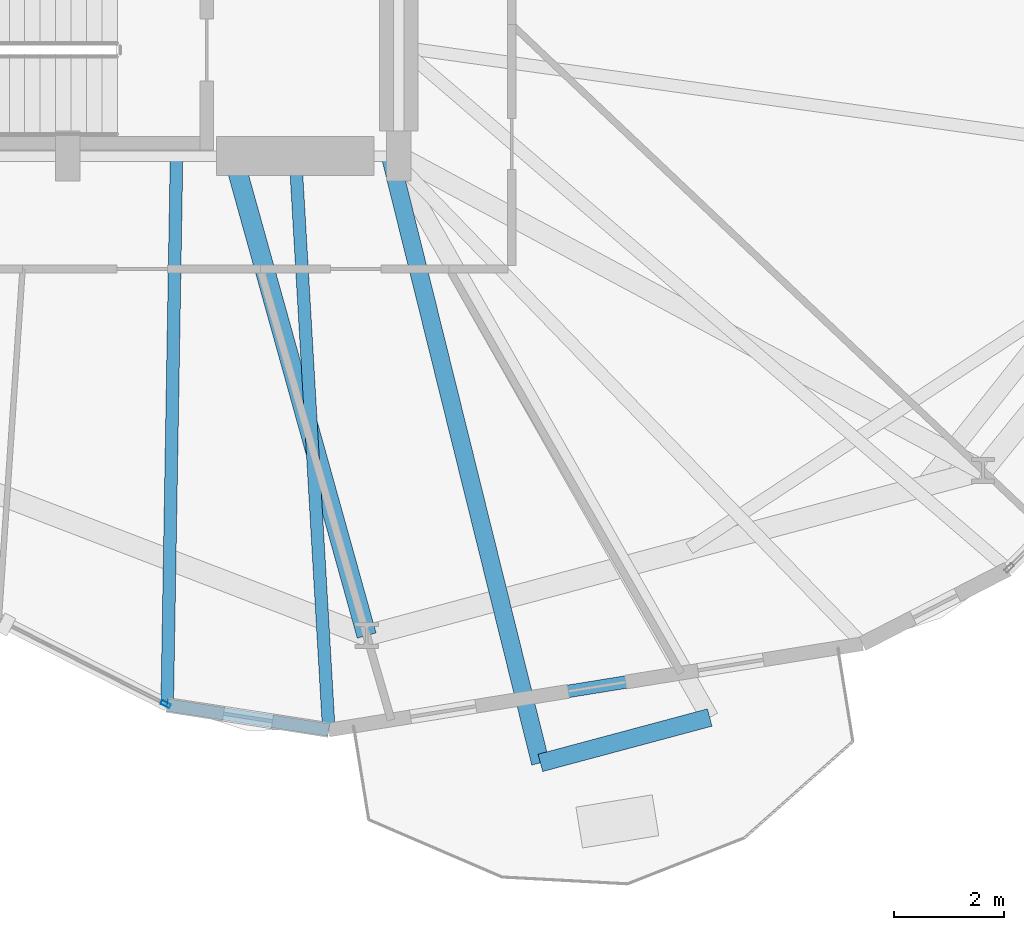
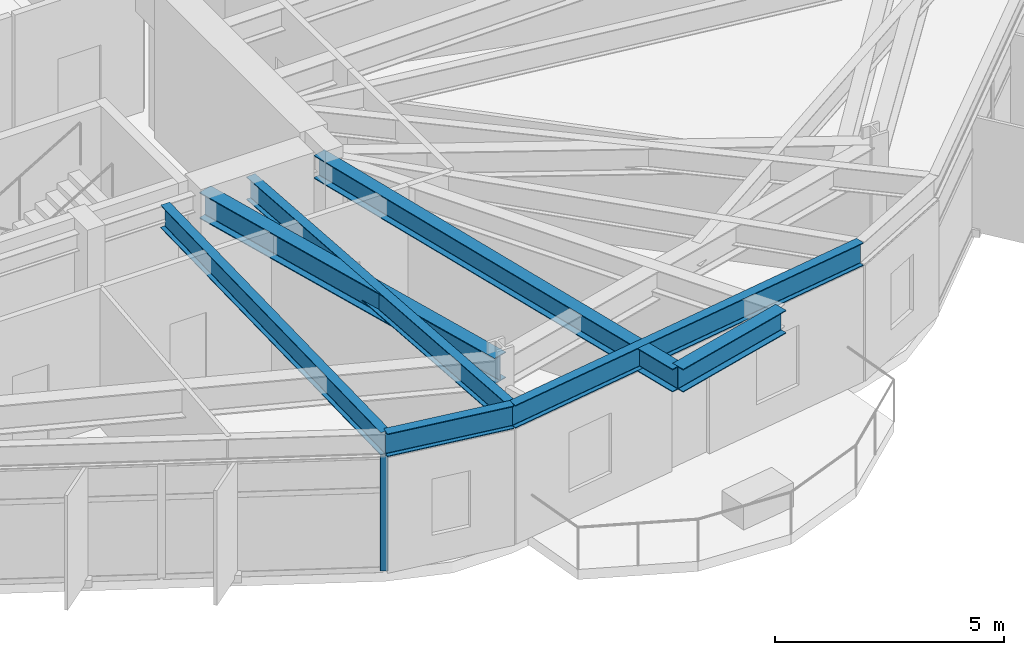
# One storey, part 4 of 23: 7 beams, 1 member, 1 element without a shape of its own.
"""IFC4 building model written with IfcOpenShell, lengths in metres."""

from ifc_helpers import new_model, si_unit, direction, frame, origin, origin_2d, place, context, subcontext, project, spatial, hollow_rectangle, i_section, extrude, material, layer, layer_set, material_profile, profile_set, type_object, element, aggregate, save


model = new_model("IFC4")

# Units and contexts
model_context = context("Model", 3, precision=1e-05, world=origin(), true_north=direction((0.0, 1.0)))
body_context = subcontext(model_context, "Body", "Model", "MODEL_VIEW")
ifc_project = project(units=[si_unit("LENGTHUNIT", "METRE"), si_unit("AREAUNIT", "SQUARE_METRE"), si_unit("VOLUMEUNIT", "CUBIC_METRE"), si_unit("PLANEANGLEUNIT", "RADIAN"), si_unit("MASSUNIT", "GRAM", prefix="KILO")], contexts=[model_context])

# Site, building, storey
site_placement = place(None, origin())
site = spatial("IfcSite", under=ifc_project, at=site_placement, CompositionType="ELEMENT")
building_placement = place(site_placement, origin())
building = spatial("IfcBuilding", under=site, at=building_placement, Name="Soratama Intermodal Tower", CompositionType="ELEMENT")
storey_placement = place(building_placement, frame((0.0, 0.0, 62.60009765625)))
storey = spatial("IfcBuildingStorey", under=building, at=storey_placement, Name="L14", CompositionType="ELEMENT", Elevation=62.60009765625)

# Beams
ifc_material_1 = material(Name="Structural steel ASTM A992 Grade 50", Category="steel")
ifc_material_profile_1 = material_profile(ifc_material_1, i_section(OverallWidth=0.324951171875, OverallDepth=0.615966796875, WebThickness=0.013916015625, FlangeThickness=0.021484375, FilletRadius=0.013916015625, at=origin_2d()), Name="W24X117")
ifc_profile_set_1 = profile_set([ifc_material_profile_1], Name="Structural steel ASTM A992 Grade 50")
beam_type_1 = type_object("IfcBeamType", Name="BM-CANT-W24X117", PredefinedType="BEAM", material=ifc_profile_set_1)
beam_1_placement = place(storey_placement, frame((47.169921875, 3.9970703125, 3.391845703125), z_axis=(0.96597307363, 0.258642651206, 0.0), x_axis=(-0.258642651206, 0.96597307363, 0.0)))
element("IfcBeam", 1, at=beam_1_placement, inside=storey, type_object=beam_type_1, Name="BM-L14-CBHDR-3", PredefinedType="BEAM", context=body_context, shape_type="SweptSolid", body=[
    extrude(i_section(OverallWidth=0.324951171875, OverallDepth=0.615966796875, WebThickness=0.013916015625, FlangeThickness=0.021484375, FilletRadius=0.013916015625, at=origin_2d()), origin(), (0.0, 0.0, 1.0), 3.17822265625),
])
beam_2_placement = place(storey_placement, frame((44.45703125, 14.9609375, 3.391845703125), z_axis=(0.240195321913, -0.970724578514, 0.0), x_axis=(0.970724578514, 0.240195321913, 0.0)))
element("IfcBeam", 2, at=beam_2_placement, inside=storey, type_object=beam_type_1, Name="BM-L14-CANT-3-1", PredefinedType="BEAM", context=body_context, shape_type="SweptSolid", body=[
    extrude(i_section(OverallWidth=0.324951171875, OverallDepth=0.615966796875, WebThickness=0.013916015625, FlangeThickness=0.021484375, FilletRadius=0.013916015625, at=origin_2d()), origin(), (0.0, 0.0, 1.0), 11.29443359375),
])
ifc_material_2 = material(Name="Structural steel ASTM A992 Grade 50", Category="steel")
ifc_material_profile_2 = material_profile(ifc_material_2, i_section(OverallWidth=0.35498046875, OverallDepth=0.695068359375, WebThickness=0.015380859375, FlangeThickness=0.02490234375, FilletRadius=0.01611328125, at=origin_2d()), Name="W27X146")
ifc_profile_set_2 = profile_set([ifc_material_profile_2], Name="Structural steel ASTM A992 Grade 50")
beam_type_2 = type_object("IfcBeamType", Name="BM-RING-W27X146", PredefinedType="BEAM", material=ifc_profile_set_2)
beam_3_placement = place(storey_placement, frame((41.60009765625, 15.0, 3.352294921875), z_axis=(0.26814752121, -0.963377862974, 0.0), x_axis=(0.963377862974, 0.26814752121, 0.0)))
element("IfcBeam", 3, at=beam_3_placement, inside=storey, type_object=beam_type_2, Name="BM-L14-RAD-08", PredefinedType="BEAM", context=body_context, shape_type="SweptSolid", body=[
    extrude(i_section(OverallWidth=0.35498046875, OverallDepth=0.695068359375, WebThickness=0.015380859375, FlangeThickness=0.02490234375, FilletRadius=0.01611328125, at=origin_2d()), origin(), (0.0, 0.0, 1.0), 9.024658203125),
])
ifc_material_3 = material(Name="Structural steel ASTM A992 Grade 50", Category="steel")
ifc_material_profile_3 = material_profile(ifc_material_3, i_section(OverallWidth=0.22900390625, OverallDepth=0.612060546875, WebThickness=0.011962890625, FlangeThickness=0.01953125, FilletRadius=0.012939453125, at=origin_2d()), Name="W24X84")
ifc_profile_set_3 = profile_set([ifc_material_profile_3], Name="Structural steel ASTM A992 Grade 50")
beam_type_3 = type_object("IfcBeamType", Name="BM-SPN-W24X84", PredefinedType="SPANDREL", material=ifc_profile_set_3)
beam_4_placement = place(storey_placement, frame((40.403076171875, 5.047119140625, 3.393798828125), z_axis=(0.988159491353, -0.153430178416, 0.0), x_axis=(0.153430178416, 0.988159491353, 0.0)))
element("IfcBeam", 4, at=beam_4_placement, inside=storey, type_object=beam_type_3, Name="BS-L14-CRN07", PredefinedType="SPANDREL", context=body_context, shape_type="SweptSolid", body=[
    extrude(i_section(OverallWidth=0.22900390625, OverallDepth=0.612060546875, WebThickness=0.011962890625, FlangeThickness=0.01953125, FilletRadius=0.012939453125, at=origin_2d()), origin(), (0.0, 0.0, 1.0), 2.966064453125),
])
beam_5_placement = place(storey_placement, frame((43.333984375, 4.592041015625, 3.393798828125), z_axis=(0.987185352333, 0.159577818442, 0.0), x_axis=(-0.159577818442, 0.987185352333, 0.0)))
element("IfcBeam", 5, at=beam_5_placement, inside=storey, type_object=beam_type_3, Name="BS-L14-F08", PredefinedType="SPANDREL", context=body_context, shape_type="SweptSolid", body=[
    extrude(i_section(OverallWidth=0.22900390625, OverallDepth=0.612060546875, WebThickness=0.011962890625, FlangeThickness=0.01953125, FilletRadius=0.012939453125, at=origin_2d()), origin(), (0.0, 0.0, 1.0), 9.800537109375),
])
ifc_material_4 = material(Name="Structural steel ASTM A992 Grade 50", Category="steel")
ifc_material_profile_4 = material_profile(ifc_material_4, i_section(OverallWidth=0.22900390625, OverallDepth=0.612060546875, WebThickness=0.011962890625, FlangeThickness=0.01953125, FilletRadius=0.012939453125, at=origin_2d()), Name="W24X84")
ifc_profile_set_4 = profile_set([ifc_material_profile_4], Name="Structural steel ASTM A992 Grade 50")
beam_type_4 = type_object("IfcBeamType", Name="BM-TIE-W24X84", PredefinedType="BEAM", material=ifc_profile_set_4)
beam_6_placement = place(storey_placement, frame((40.572021484375, 14.9599609375, 3.393798828125), z_axis=(-0.017040600953, -0.999854798418, 0.0), x_axis=(0.999854798418, -0.017040600953, 0.0)))
element("IfcBeam", 6, at=beam_6_placement, inside=storey, type_object=beam_type_4, Name="BM-L14-TIE1-07", PredefinedType="BEAM", context=body_context, shape_type="SweptSolid", body=[
    extrude(i_section(OverallWidth=0.22900390625, OverallDepth=0.612060546875, WebThickness=0.011962890625, FlangeThickness=0.01953125, FilletRadius=0.012939453125, at=origin_2d()), origin(), (0.0, 0.0, 1.0), 9.914306640625),
])
beam_7_placement = place(storey_placement, frame((42.72998046875, 14.9599609375, 3.393798828125), z_axis=(0.058158391904, -0.998307368224, 0.0), x_axis=(0.998307368224, 0.058158391904, 0.0)))
element("IfcBeam", 7, at=beam_7_placement, inside=storey, type_object=beam_type_4, Name="BM-L14-TIE0-08", PredefinedType="BEAM", context=body_context, shape_type="SweptSolid", body=[
    extrude(i_section(OverallWidth=0.22900390625, OverallDepth=0.612060546875, WebThickness=0.011962890625, FlangeThickness=0.01953125, FilletRadius=0.012939453125, at=origin_2d()), origin(), (0.0, 0.0, 1.0), 10.385498046875),
])

# Curtain wall, member
ifc_material_5 = material(Name="Double-glazed aluminium curtain wall", Category="aluminium")
ifc_layer = layer(ifc_material_5, 0.159912109375)
ifc_layer_set = layer_set([ifc_layer], Name="Double-glazed aluminium curtain wall")
curtain_wall_type = type_object("IfcCurtainWallType", Name="CW-SYS-2", PredefinedType="NOTDEFINED", material=ifc_layer_set)
curtain_wall_placement = place(storey_placement, origin())
curtain_wall = element("IfcCurtainWall", 8, at=curtain_wall_placement, inside=storey, type_object=curtain_wall_type, Name="L14 Faceted Curtain Wall F07", PredefinedType="NOTDEFINED")
ifc_material_6 = material(Name="Anodised aluminium AA 6063-T6", Category="aluminium")
ifc_material_profile_5 = material_profile(ifc_material_6, hollow_rectangle(XDim=0.074951171875, YDim=0.179931640625, WallThickness=0.006103515625, InnerFilletRadius=0.006103515625, OuterFilletRadius=0.011962890625, at=origin_2d()), Name="CWM180X75X6")
ifc_profile_set_5 = profile_set([ifc_material_profile_5], Name="Anodised aluminium AA 6063-T6")
member_type = type_object("IfcMemberType", Name="MT-CWM-2", PredefinedType="MULLION", material=ifc_profile_set_5)
member_placement = place(storey_placement, frame((40.376220703125, 5.060791015625, 0.0), z_axis=(0.0, 0.0, 1.0), x_axis=(0.451184697135, 0.892430596221, 0.0)))
member = element("IfcMember", 9, at=member_placement, type_object=member_type, Name="CW-2 mullion 3", PredefinedType="MULLION", context=body_context, shape_type="SweptSolid", body=[
    extrude(hollow_rectangle(XDim=0.074951171875, YDim=0.179931640625, WallThickness=0.006103515625, InnerFilletRadius=0.006103515625, OuterFilletRadius=0.011962890625, at=origin_2d()), origin(), (0.0, 0.0, 1.0), 3.078857421875),
])
aggregate(curtain_wall, [member])

save(model, "model.ifc")
